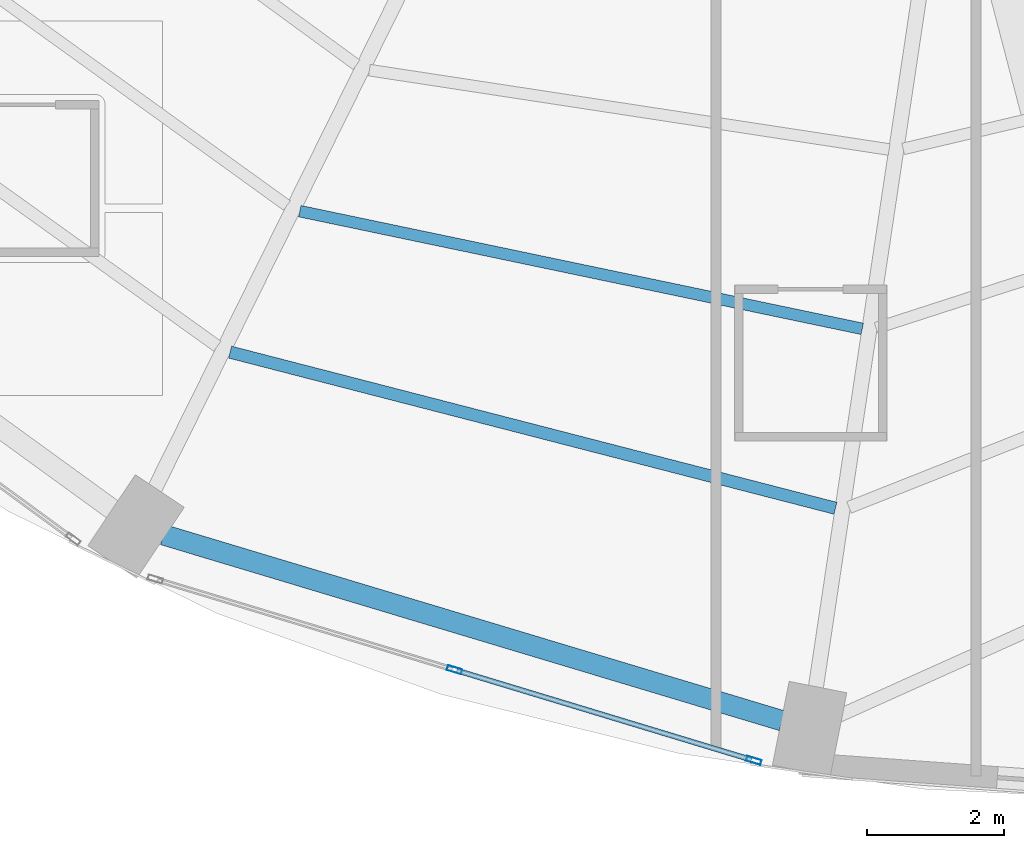
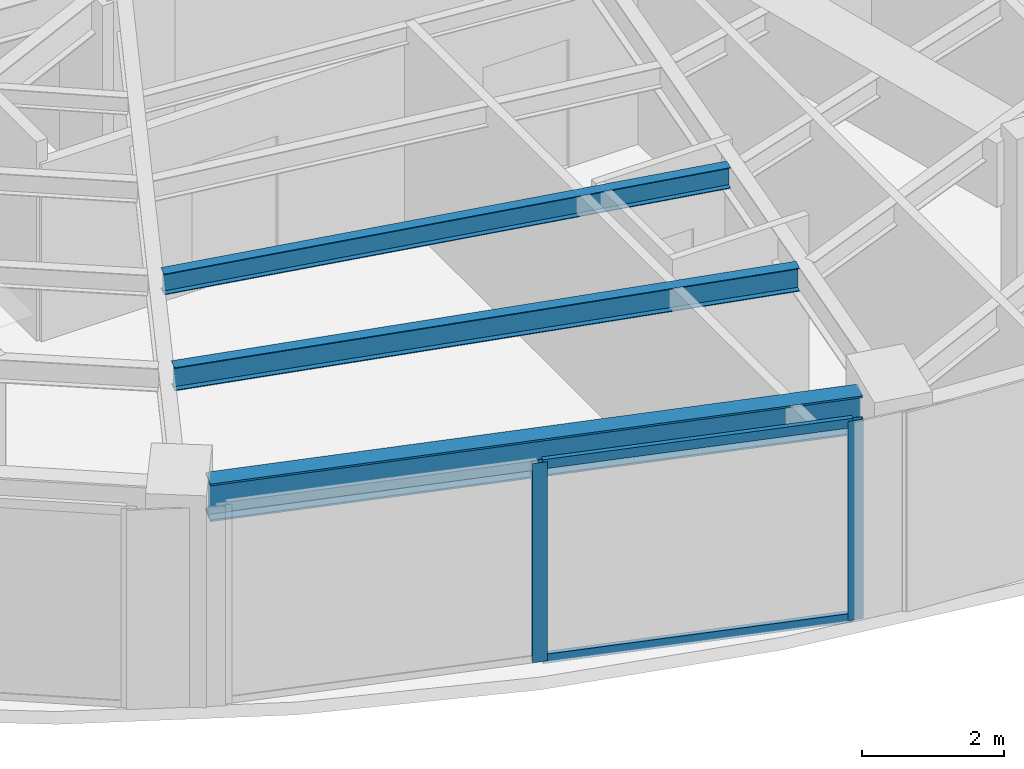
# One storey, part 5 of 25: 4 members, 3 beams, 1 element without a shape of its own.
"""IFC4 building model written with IfcOpenShell, lengths in metres."""

from ifc_helpers import new_model, si_unit, direction, frame, origin, origin_2d, place, context, subcontext, project, spatial, hollow_rectangle, i_section, extrude, material, layer, layer_set, material_profile, profile_set, type_object, element, aggregate, save


model = new_model("IFC4")

# Units and contexts
model_context = context("Model", 3, precision=1e-05, world=origin(), true_north=direction((0.0, 1.0)))
body_context = subcontext(model_context, "Body", "Model", "MODEL_VIEW")
ifc_project = project(units=[si_unit("LENGTHUNIT", "METRE"), si_unit("AREAUNIT", "SQUARE_METRE"), si_unit("VOLUMEUNIT", "CUBIC_METRE"), si_unit("PLANEANGLEUNIT", "RADIAN"), si_unit("MASSUNIT", "GRAM", prefix="KILO")], contexts=[model_context])

# Site, building, storey
site_placement = place(None, origin())
site = spatial("IfcSite", under=ifc_project, at=site_placement, CompositionType="ELEMENT")
building_placement = place(site_placement, origin())
building = spatial("IfcBuilding", under=site, at=building_placement, Name="Lazwardi Medical Tower", CompositionType="ELEMENT")
storey_placement = place(building_placement, frame((0.0, 0.0, 32.49609375)))
storey = spatial("IfcBuildingStorey", under=building, at=storey_placement, Name="L07", CompositionType="ELEMENT", Elevation=32.49609375)

# Beams
ifc_material_1 = material(Name="Steel S355", Category="steel")
ifc_material_profile_1 = material_profile(ifc_material_1, i_section(OverallWidth=0.300048828125, OverallDepth=0.64990234375, WebThickness=0.01611328125, FlangeThickness=0.031005859375, at=origin_2d()), Name="HEB 650")
ifc_profile_set_1 = profile_set([ifc_material_profile_1], Name="Steel S355")
beam_type_1 = type_object("IfcBeamType", Name="BM-RB-Z1", PredefinedType="BEAM", material=ifc_profile_set_1)
beam_1_placement = place(storey_placement, frame((21.22119140625, 8.9951171875, 3.10302734375), z_axis=(0.957695289269, -0.287784177662, 0.0), x_axis=(0.287784177662, 0.957695289269, 0.0)))
element("IfcBeam", 1, at=beam_1_placement, inside=storey, type_object=beam_type_1, Name="Ring beam RB-02 B15 L07", PredefinedType="BEAM", context=body_context, shape_type="SweptSolid", body=[
    extrude(i_section(OverallWidth=0.300048828125, OverallDepth=0.64990234375, WebThickness=0.01611328125, FlangeThickness=0.031005859375, at=origin_2d()), origin(), (0.0, 0.0, 1.0), 9.445556640625),
])
ifc_material_profile_2 = material_profile(ifc_material_1, i_section(OverallWidth=0.179931640625, OverallDepth=0.39990234375, WebThickness=0.008544921875, FlangeThickness=0.013427734375, at=origin_2d()), Name="IPE 400")
ifc_profile_set_2 = profile_set([ifc_material_profile_2], Name="Steel S355")
beam_type_2 = type_object("IfcBeamType", Name="BM-SJ-01", PredefinedType="JOIST", material=ifc_profile_set_2)
beam_2_placement = place(storey_placement, frame((22.195068359375, 11.666748046875, 3.22802734375), z_axis=(0.968316918308, -0.249724539682, 0.0), x_axis=(0.249724539682, 0.968316918308, 0.0)))
element("IfcBeam", 2, at=beam_2_placement, inside=storey, type_object=beam_type_2, Name="Secondary joist SJ-01 R1 B15 L07", PredefinedType="JOIST", context=body_context, shape_type="SweptSolid", body=[
    extrude(i_section(OverallWidth=0.179931640625, OverallDepth=0.39990234375, WebThickness=0.008544921875, FlangeThickness=0.013427734375, at=origin_2d()), origin(), (0.0, 0.0, 1.0), 9.140869140625),
])
ifc_material_profile_3 = material_profile(ifc_material_1, i_section(OverallWidth=0.169921875, OverallDepth=0.360107421875, WebThickness=0.008056640625, FlangeThickness=0.0126953125, at=origin_2d()), Name="IPE 360")
ifc_profile_set_3 = profile_set([ifc_material_profile_3], Name="Steel S355")
beam_type_3 = type_object("IfcBeamType", Name="BM-SJ-02", PredefinedType="JOIST", material=ifc_profile_set_3)
beam_3_placement = place(storey_placement, frame((23.213623046875, 13.728271484375, 3.247802734375), z_axis=(0.978809182847, -0.204774470026, 0.0), x_axis=(0.204774470026, 0.978809182847, 0.0)))
element("IfcBeam", 3, at=beam_3_placement, inside=storey, type_object=beam_type_3, Name="Secondary joist SJ-02 R2 B15 L07", PredefinedType="JOIST", context=body_context, shape_type="SweptSolid", body=[
    extrude(i_section(OverallWidth=0.169921875, OverallDepth=0.360107421875, WebThickness=0.008056640625, FlangeThickness=0.0126953125, at=origin_2d()), origin(), (0.0, 0.0, 1.0), 8.40283203125),
])

# Curtain wall, members
ifc_material_2 = material(Name="Anodised bronze aluminium and solar control glazing", Category="aluminium")
ifc_layer = layer(ifc_material_2, 0.199951171875)
ifc_layer_set = layer_set([ifc_layer], Name="Anodised bronze aluminium and solar control glazing")
curtain_wall_type = type_object("IfcCurtainWallType", Name="CW-SYS-02", PredefinedType="NOTDEFINED", material=ifc_layer_set)
curtain_wall_placement = place(storey_placement, origin())
curtain_wall = element("IfcCurtainWall", 4, at=curtain_wall_placement, inside=storey, type_object=curtain_wall_type, Name="L07 Unitised bronze curtain wall CW-02", PredefinedType="NOTDEFINED")
ifc_material_3 = material(Name="Anodised bronze aluminium", Category="aluminium")
ifc_material_profile_4 = material_profile(ifc_material_3, hollow_rectangle(XDim=0.074951171875, YDim=0.219970703125, WallThickness=0.00390625, at=origin_2d()), Name="ALU-MULLION 220x75x4")
ifc_profile_set_4 = profile_set([ifc_material_profile_4], Name="Anodised bronze aluminium")
member_type_1 = type_object("IfcMemberType", Name="CW-MUL-01", PredefinedType="MULLION", material=ifc_profile_set_4)
member_1_placement = place(storey_placement, frame((25.476806640625, 7.021484375, 0.0), z_axis=(0.0, 0.0, 1.0), x_axis=(0.2898956909, 0.957058247129, 0.0)))
member_1 = element("IfcMember", 5, at=member_1_placement, type_object=member_type_1, Name="CW-02 mullion 2", PredefinedType="MULLION", context=body_context, shape_type="SweptSolid", body=[
    extrude(hollow_rectangle(XDim=0.074951171875, YDim=0.219970703125, WallThickness=0.00390625, at=origin_2d()), origin(), (0.0, 0.0, 1.0), 3.427978515625),
])
member_2_placement = place(storey_placement, frame((29.85205078125, 5.6962890625, 0.0), z_axis=(0.0, 0.0, 1.0), x_axis=(0.2898956909, 0.957058247129, 0.0)))
member_2 = element("IfcMember", 6, at=member_2_placement, type_object=member_type_1, Name="CW-02 mullion 3", PredefinedType="MULLION", context=body_context, shape_type="SweptSolid", body=[
    extrude(hollow_rectangle(XDim=0.074951171875, YDim=0.219970703125, WallThickness=0.00390625, at=origin_2d()), origin(), (0.0, 0.0, 1.0), 3.427978515625),
])
ifc_material_profile_5 = material_profile(ifc_material_3, hollow_rectangle(XDim=0.074951171875, YDim=0.159912109375, WallThickness=0.00390625, at=origin_2d()), Name="ALU-TRANSOM 160x75x4")
ifc_profile_set_5 = profile_set([ifc_material_profile_5], Name="Anodised bronze aluminium")
member_type_2 = type_object("IfcMemberType", Name="CW-TRN-01", PredefinedType="USERDEFINED", material=ifc_profile_set_5)
member_3_placement = place(storey_placement, frame((25.5126953125, 7.0107421875, 0.037353515625), z_axis=(0.957047233423, -0.28993204893, 0.0), x_axis=(0.28993204893, 0.957047233423, 0.0)))
member_3 = element("IfcMember", 7, at=member_3_placement, type_object=member_type_2, Name="CW-02 transom 2.1", ObjectType="TRANSOM", PredefinedType="USERDEFINED", context=body_context, shape_type="SweptSolid", body=[
    extrude(hollow_rectangle(XDim=0.074951171875, YDim=0.159912109375, WallThickness=0.00390625, at=origin_2d()), origin(), (0.0, 0.0, 1.0), 4.49658203125),
])
member_4_placement = place(storey_placement, frame((25.5126953125, 7.0107421875, 3.390380859375), z_axis=(0.957047233423, -0.28993204893, 0.0), x_axis=(0.28993204893, 0.957047233423, 0.0)))
member_4 = element("IfcMember", 8, at=member_4_placement, type_object=member_type_2, Name="CW-02 transom 2.2", ObjectType="TRANSOM", PredefinedType="USERDEFINED", context=body_context, shape_type="SweptSolid", body=[
    extrude(hollow_rectangle(XDim=0.074951171875, YDim=0.159912109375, WallThickness=0.00390625, at=origin_2d()), origin(), (0.0, 0.0, 1.0), 4.49658203125),
])
aggregate(curtain_wall, [member_1, member_2, member_3, member_4])

save(model, "model.ifc")
